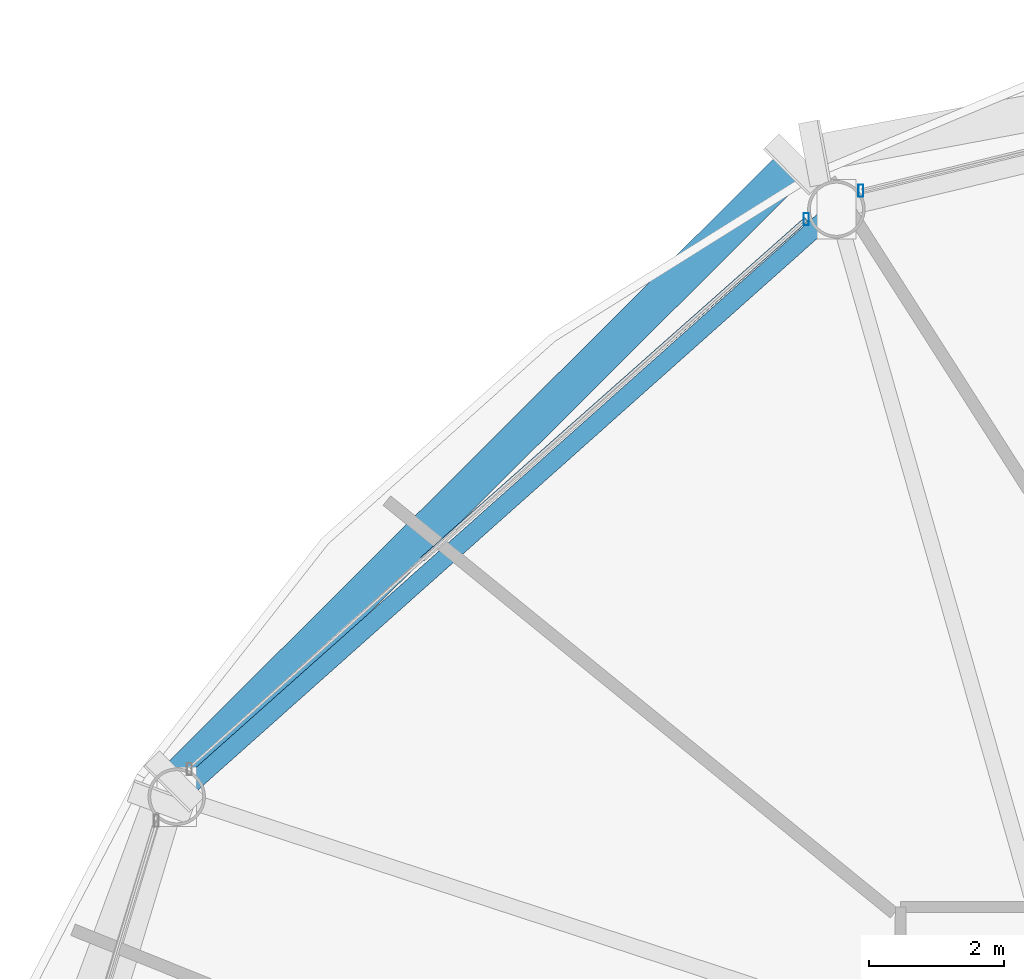
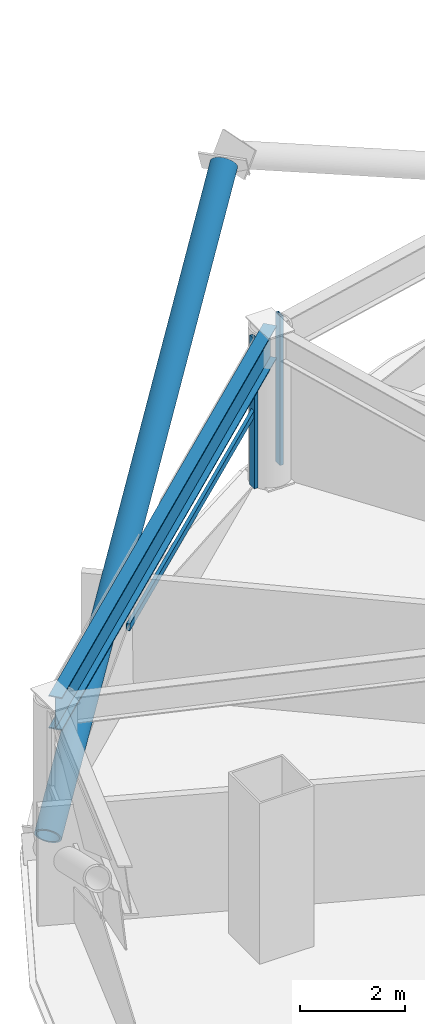
# One storey, part 16 of 30: 4 members, 1 beam, 2 elements without a shape of their own.
"""IFC4 building model written with IfcOpenShell, lengths in metres."""

import ifcopenshell
import ifcopenshell.guid

model = None  # the IFC model being written
_history = None  # IfcOwnerHistory: only IFC2X3 demands one
_inside = {}  # id of a spatial element -> (the spatial element, [elements in it])
_under = {}  # id of a project, library or spatial element -> (it, [spatial elements below it])
_declared = {}  # id of a project -> (the project, [libraries it declares])
_typed = {}  # id of a type object -> (the type object, [elements of that type])
_made_of = {}  # id of a material, layer set ... -> (it, [elements and type objects made of it])


def new_model(schema):
    """Start an empty IFC model of exactly this schema.

    Asked for "IFC4X3", IfcOpenShell would pick the latest addendum, in which some entities
    have other attributes; the version numbers below select the first issue.
    IFC2X3 requires an IfcOwnerHistory on every rooted entity: one is made here for all.
    """
    global model, _history
    if schema == "IFC4X3":
        model = ifcopenshell.file(schema_version=(4, 3, 0, 0))
    else:
        model = ifcopenshell.file(schema=schema)
    _inside.clear()
    _under.clear()
    _declared.clear()
    _typed.clear()
    _made_of.clear()
    _history = None
    if model.schema == "IFC2X3":
        org = make("IfcOrganization", Name="unknown")
        user = make(
            "IfcPersonAndOrganization",
            ThePerson=make("IfcPerson", FamilyName="unknown"),
            TheOrganization=org,
        )
        app = make(
            "IfcApplication",
            ApplicationDeveloper=org,
            Version="unknown",
            ApplicationFullName="unknown",
            ApplicationIdentifier="unknown",
        )
        _history = make(
            "IfcOwnerHistory",
            OwningUser=user,
            OwningApplication=app,
            ChangeAction="ADDED",
            CreationDate=0,
        )
    return model


def make(cls, **values):
    """One entity of the class cls with the attributes given. An attribute that is None is left unset."""
    return model.create_entity(
        cls, **{name: value for name, value in values.items() if value is not None}
    )


def rooted(cls, **values):
    """An entity with a GlobalId (a new one), such as an element, a storey or a relation."""
    return make(cls, GlobalId=ifcopenshell.guid.new(), OwnerHistory=_history, **values)


def si_unit(unit_type, name, prefix=None):
    """IfcSIUnit, for example si_unit("LENGTHUNIT", "METRE", prefix="MILLI")."""
    return make("IfcSIUnit", UnitType=unit_type, Prefix=prefix, Name=name)


def assignment(units):
    """IfcUnitAssignment: the units of a project."""
    return None if units is None else make("IfcUnitAssignment", Units=units)


def point(xyz):
    """IfcCartesianPoint."""
    return None if xyz is None else make("IfcCartesianPoint", Coordinates=xyz)


def direction(xyz):
    """IfcDirection."""
    return None if xyz is None else make("IfcDirection", DirectionRatios=xyz)


def frame(location, z_axis=None, x_axis=None):
    """IfcAxis2Placement3D, a coordinate frame: its origin and axes. An axis left out is left unset."""
    return make(
        "IfcAxis2Placement3D",
        Location=point(location),
        Axis=direction(z_axis),
        RefDirection=direction(x_axis),
    )


def frame_2d(location, x_axis=None):
    """IfcAxis2Placement2D, a coordinate frame in the plane: its origin and x axis."""
    return make(
        "IfcAxis2Placement2D", Location=point(location), RefDirection=direction(x_axis)
    )


def origin():
    """The frame at (0, 0, 0) with its axes left unset."""
    return frame((0.0, 0.0, 0.0))


def origin_2d():
    """The frame at (0, 0) in the plane with its x axis left unset."""
    return frame_2d((0.0, 0.0))


def place(relative_to, where):
    """IfcLocalPlacement: puts the frame where relative to a parent placement (None: the world)."""
    return make(
        "IfcLocalPlacement", PlacementRelTo=relative_to, RelativePlacement=where
    )


def context(
    kind, dimensions, precision=None, world=None, true_north=None, identifier=None
):
    """IfcGeometricRepresentationContext, for example the 3D "Model" context."""
    return make(
        "IfcGeometricRepresentationContext",
        ContextIdentifier=identifier,
        ContextType=kind,
        CoordinateSpaceDimension=dimensions,
        Precision=precision,
        WorldCoordinateSystem=world,
        TrueNorth=true_north,
    )


def subcontext(parent, identifier, kind, view, scale=None):
    """IfcGeometricRepresentationSubContext, for example "Body" below "Model"."""
    return make(
        "IfcGeometricRepresentationSubContext",
        ContextIdentifier=identifier,
        ContextType=kind,
        ParentContext=parent,
        TargetScale=scale,
        TargetView=view,
    )


def project(units=None, contexts=None):
    """IfcProject with its units and contexts."""
    return rooted(
        "IfcProject",
        Name="project",
        RepresentationContexts=contexts,
        UnitsInContext=assignment(units),
    )


def spatial(cls, under=None, at=None, **own):
    """A site, building, storey or space (cls), placed at a placement, below another one or the project."""
    s = rooted(cls, ObjectPlacement=at, **own)
    if under is not None:
        _under.setdefault(under.id(), (under, []))[1].append(s)
    return s


def profile(cls, at=None, kind="AREA", **sizes):
    """A parametric profile (cls). Its sizes go by their IFC names, for example OverallWidth=200.0."""
    return make(cls, ProfileType=kind, Position=at, **sizes)


def hollow_rectangle(**sizes):
    """IfcRectangleHollowProfileDef."""
    return profile("IfcRectangleHollowProfileDef", **sizes)


def hollow_circle(**sizes):
    """IfcCircleHollowProfileDef."""
    return profile("IfcCircleHollowProfileDef", **sizes)


def i_section(**sizes):
    """IfcIShapeProfileDef."""
    return profile("IfcIShapeProfileDef", **sizes)


def extrude(swept, where, along, depth):
    """IfcExtrudedAreaSolid: the profile swept, set in the frame where, extruded along a direction by depth."""
    return make(
        "IfcExtrudedAreaSolid",
        SweptArea=swept,
        Position=where,
        ExtrudedDirection=direction(along),
        Depth=depth,
    )


def shape(context_of_items, identifier, shape_type, items):
    """IfcShapeRepresentation: the items that make up one representation, for example the "Body"."""
    return make(
        "IfcShapeRepresentation",
        ContextOfItems=context_of_items,
        RepresentationIdentifier=identifier,
        RepresentationType=shape_type,
        Items=items,
    )


def material(Name=None, Category=None):
    """IfcMaterial."""
    return make("IfcMaterial", Name=Name, Category=Category)


def layer(
    of_material, thickness, ventilated=None, Name=None, Category=None, Priority=None
):
    """IfcMaterialLayer: one layer of a wall or slab, of a material (None: an air gap)."""
    return make(
        "IfcMaterialLayer",
        Material=of_material,
        LayerThickness=thickness,
        IsVentilated=ventilated,
        Name=Name,
        Category=Category,
        Priority=Priority,
    )


def layer_set(layers, Name=None):
    """IfcMaterialLayerSet."""
    return make("IfcMaterialLayerSet", MaterialLayers=layers, LayerSetName=Name)


def material_profile(
    of_material, cross_section, Name=None, Category=None, Priority=None
):
    """IfcMaterialProfile: a cross section and its material."""
    return make(
        "IfcMaterialProfile",
        Name=Name,
        Material=of_material,
        Profile=cross_section,
        Priority=Priority,
        Category=Category,
    )


def profile_set(profiles, Name=None, composite=None):
    """IfcMaterialProfileSet."""
    return make(
        "IfcMaterialProfileSet",
        Name=Name,
        MaterialProfiles=profiles,
        CompositeProfile=composite,
    )


def made_of(thing, what):
    """Note that an element or type object is made of a material, layer set ...; save() writes the relation."""
    if what is not None:
        _made_of.setdefault(what.id(), (what, []))[1].append(thing)
    return thing


def type_object(cls, material=None, **own):
    """A type object (cls), such as IfcWallType, which elements share."""
    return made_of(rooted(cls, **own), material)


def element(
    cls,
    number,
    at=None,
    inside=None,
    cuts=None,
    type_object=None,
    material=None,
    context=None,
    identifier="Body",
    shape_type=None,
    held_by="IfcProductDefinitionShape",
    body=None,
    shapes=None,
    **own,
):
    """One element of the class cls, such as IfcWall. Its Tag is "e" and its number.

    at: its placement. inside: the storey or other place that contains it. cuts: it is an
    opening in that element (IfcRelVoidsElement). A single representation is given by context,
    identifier, shape_type and body (its items); several are given by shapes. held_by: the class
    of the entity that holds the representations. save() writes the other relations.
    """
    e = rooted(cls, Tag="e%d" % number, ObjectPlacement=at, **own)
    if body is not None:
        shapes = [shape(context, identifier, shape_type, body)]
    if shapes is not None:
        e.Representation = make(held_by, Representations=shapes)
    if inside is not None:
        _inside.setdefault(inside.id(), (inside, []))[1].append(e)
    if cuts is not None:
        rooted(
            "IfcRelVoidsElement", RelatingBuildingElement=cuts, RelatedOpeningElement=e
        )
    if type_object is not None:
        _typed.setdefault(type_object.id(), (type_object, []))[1].append(e)
    return made_of(e, material)


def aggregate(whole, parts):
    """IfcRelAggregates: a whole, such as a stair, and the parts it consists of."""
    return rooted("IfcRelAggregates", RelatingObject=whole, RelatedObjects=parts)


def save(model, path):
    """Write the relations noted so far, then the file.

    IfcRelAggregates (storeys below a building ...), IfcRelContainedInSpatialStructure (elements
    in a storey), IfcRelDefinesByType, IfcRelAssociatesMaterial and IfcRelDeclares: one each for
    every whole, place, type object, material and project.
    """
    for whole, parts in _under.values():
        aggregate(whole, parts)
    for where, things in _inside.values():
        rooted(
            "IfcRelContainedInSpatialStructure",
            RelatedElements=things,
            RelatingStructure=where,
        )
    for kind, things in _typed.values():
        rooted("IfcRelDefinesByType", RelatedObjects=things, RelatingType=kind)
    for what, things in _made_of.values():
        rooted("IfcRelAssociatesMaterial", RelatedObjects=things, RelatingMaterial=what)
    for by, libraries in _declared.values():
        rooted("IfcRelDeclares", RelatingContext=by, RelatedDefinitions=libraries)
    model.write(path)


model = new_model("IFC4")

# Units and contexts
model_context = context("Model", 3, precision=1e-05, world=origin(), true_north=direction((0.0, 1.0)))
body_context = subcontext(model_context, "Body", "Model", "MODEL_VIEW")
ifc_project = project(units=[si_unit("LENGTHUNIT", "METRE"), si_unit("AREAUNIT", "SQUARE_METRE"), si_unit("VOLUMEUNIT", "CUBIC_METRE"), si_unit("PLANEANGLEUNIT", "RADIAN"), si_unit("MASSUNIT", "GRAM", prefix="KILO")], contexts=[model_context])

# Site, building, storey
site_placement = place(None, origin())
site = spatial("IfcSite", under=ifc_project, at=site_placement, CompositionType="ELEMENT")
building_placement = place(site_placement, origin())
building = spatial("IfcBuilding", under=site, at=building_placement, Name="Vantalir Tower", CompositionType="ELEMENT")
storey_placement = place(building_placement, frame((0.0, 0.0, 49.5)))
storey = spatial("IfcBuildingStorey", under=building, at=storey_placement, Name="L11", CompositionType="ELEMENT", Elevation=49.5)

# Beam
ifc_material_1 = material(Name="Steel S460", Category="steel")
ifc_material_profile_1 = material_profile(ifc_material_1, i_section(OverallWidth=0.26806640625, OverallDepth=0.77001953125, WebThickness=0.015625, FlangeThickness=0.025390625, at=origin_2d()), Name="Steel S460")
ifc_profile_set_1 = profile_set([ifc_material_profile_1], Name="Steel S460")
beam_type = type_object("IfcBeamType", Name="BM-RG-762x267", PredefinedType="USERDEFINED", material=ifc_profile_set_1)
beam_placement = place(storey_placement, frame((18.180908203125, 45.547119140625, 3.18505859375), z_axis=(-0.746779714513, -0.665071468334, 0.0), x_axis=(0.665071468334, -0.746779714513, 0.0)))
element("IfcBeam", 1, at=beam_placement, inside=storey, type_object=beam_type, Name="L11 Circumferential Ring Girder 05", ObjectType="GIRDER", PredefinedType="USERDEFINED", context=body_context, shape_type="SweptSolid", body=[
    extrude(i_section(OverallWidth=0.26806640625, OverallDepth=0.77001953125, WebThickness=0.015625, FlangeThickness=0.025390625, at=origin_2d()), origin(), (0.0, 0.0, 1.0), 13.057373046875),
])

# Curtain wall, member
ifc_material_2 = material(Name="Champagne-silver PVDF aluminium and double-silver Low-E glass", Category="aluminium")
ifc_layer = layer(ifc_material_2, 0.18994140625)
ifc_layer_set = layer_set([ifc_layer], Name="Champagne-silver PVDF aluminium and double-silver Low-E glass")
curtain_wall_type = type_object("IfcCurtainWallType", Name="CW-DIAMOND-Z1", PredefinedType="USERDEFINED", material=ifc_layer_set)
curtain_wall_1_placement = place(storey_placement, origin())
curtain_wall_1 = element("IfcCurtainWall", 2, at=curtain_wall_1_placement, inside=storey, type_object=curtain_wall_type, Name="L11 Quilted Pyramid-Diamond Curtain Wall S04", ObjectType="UNITISED CURTAIN WALL", PredefinedType="USERDEFINED")
ifc_material_3 = material(Name="Champagne-silver PVDF aluminium 6063-T6", Category="aluminium")
ifc_material_profile_2 = material_profile(ifc_material_3, hollow_rectangle(XDim=0.074951171875, YDim=0.179931640625, WallThickness=0.00390625, at=origin_2d()), Name="Champagne-silver PVDF aluminium 6063-T6")
ifc_profile_set_2 = profile_set([ifc_material_profile_2], Name="Champagne-silver PVDF aluminium 6063-T6")
member_type_1 = type_object("IfcMemberType", Name="CWM-180x75", PredefinedType="MULLION", material=ifc_profile_set_2)
member_1_placement = place(storey_placement, frame((18.54296875, 45.821044921875, 0.044921875), z_axis=(0.0, 0.0, 1.0), x_axis=(1.0, 0.0, 0.0)))
member_1 = element("IfcMember", 3, at=member_1_placement, type_object=member_type_1, Name="CW-L11-S04 Mullion 2", PredefinedType="MULLION", context=body_context, shape_type="SweptSolid", body=[
    extrude(hollow_rectangle(XDim=0.074951171875, YDim=0.179931640625, WallThickness=0.00390625, at=origin_2d()), origin(), (0.0, 0.0, 1.0), 3.47998046875),
])
aggregate(curtain_wall_1, [member_1])

# Curtain wall, members
curtain_wall_2_placement = place(storey_placement, origin())
curtain_wall_2 = element("IfcCurtainWall", 4, at=curtain_wall_2_placement, inside=storey, type_object=curtain_wall_type, Name="L11 Quilted Pyramid-Diamond Curtain Wall S05", ObjectType="UNITISED CURTAIN WALL", PredefinedType="USERDEFINED")
member_2_placement = place(storey_placement, frame((17.735107421875, 45.39892578125, 0.044921875), z_axis=(0.0, 0.0, 1.0), x_axis=(1.0, 0.0, 0.0)))
member_2 = element("IfcMember", 5, at=member_2_placement, type_object=member_type_1, Name="CW-L11-S05 Mullion 1", PredefinedType="MULLION", context=body_context, shape_type="SweptSolid", body=[
    extrude(hollow_rectangle(XDim=0.074951171875, YDim=0.179931640625, WallThickness=0.00390625, at=origin_2d()), origin(), (0.0, 0.0, 1.0), 3.47998046875),
])
ifc_material_profile_3 = material_profile(ifc_material_3, hollow_rectangle(XDim=0.074951171875, YDim=0.159912109375, WallThickness=0.00390625, at=origin_2d()), Name="Champagne-silver PVDF aluminium 6063-T6")
ifc_profile_set_3 = profile_set([ifc_material_profile_3], Name="Champagne-silver PVDF aluminium 6063-T6")
member_type_2 = type_object("IfcMemberType", Name="CWT-160x75", PredefinedType="USERDEFINED", material=ifc_profile_set_3)
member_3_placement = place(storey_placement, frame((17.735107421875, 45.39892578125, 1.784912109375), z_axis=(-0.748577672657, -0.663047108432, 0.0), x_axis=(0.663047108432, -0.748577672657, 0.0)))
member_3 = element("IfcMember", 6, at=member_3_placement, type_object=member_type_2, Name="CW-L11-S05 Pyramid Fold Ridge Transom", ObjectType="TRANSOM", PredefinedType="USERDEFINED", context=body_context, shape_type="SweptSolid", body=[
    extrude(hollow_rectangle(XDim=0.074951171875, YDim=0.159912109375, WallThickness=0.00390625, at=origin_2d()), origin(), (0.0, 0.0, 1.0), 7.57861328125),
])
aggregate(curtain_wall_2, [member_2, member_3])

# Member
ifc_material_profile_4 = material_profile(ifc_material_1, hollow_circle(Radius=0.27001953125, WallThickness=0.044921875, at=origin_2d()), Name="Steel S460")
ifc_profile_set_4 = profile_set([ifc_material_profile_4], Name="Steel S460")
member_type_3 = type_object("IfcMemberType", Name="MEM-DB-540x45", PredefinedType="BRACE", material=ifc_profile_set_4)
member_4_placement = place(storey_placement, frame((8.402099609375, 37.094970703125, 0.18408203125), z_axis=(0.623636386761, 0.621387757926, 0.474294119095), x_axis=(-0.705828529701, 0.708382726117, 0.0)))
element("IfcMember", 7, at=member_4_placement, inside=storey, type_object=member_type_3, Name="L11 Perimeter S460 Diagrid Brace R16R", PredefinedType="BRACE", context=body_context, shape_type="SweptSolid", body=[
    extrude(hollow_circle(Radius=0.27001953125, WallThickness=0.044921875, at=origin_2d()), origin(), (0.0, 0.0, 1.0), 14.657470703125),
])

save(model, "model.ifc")
